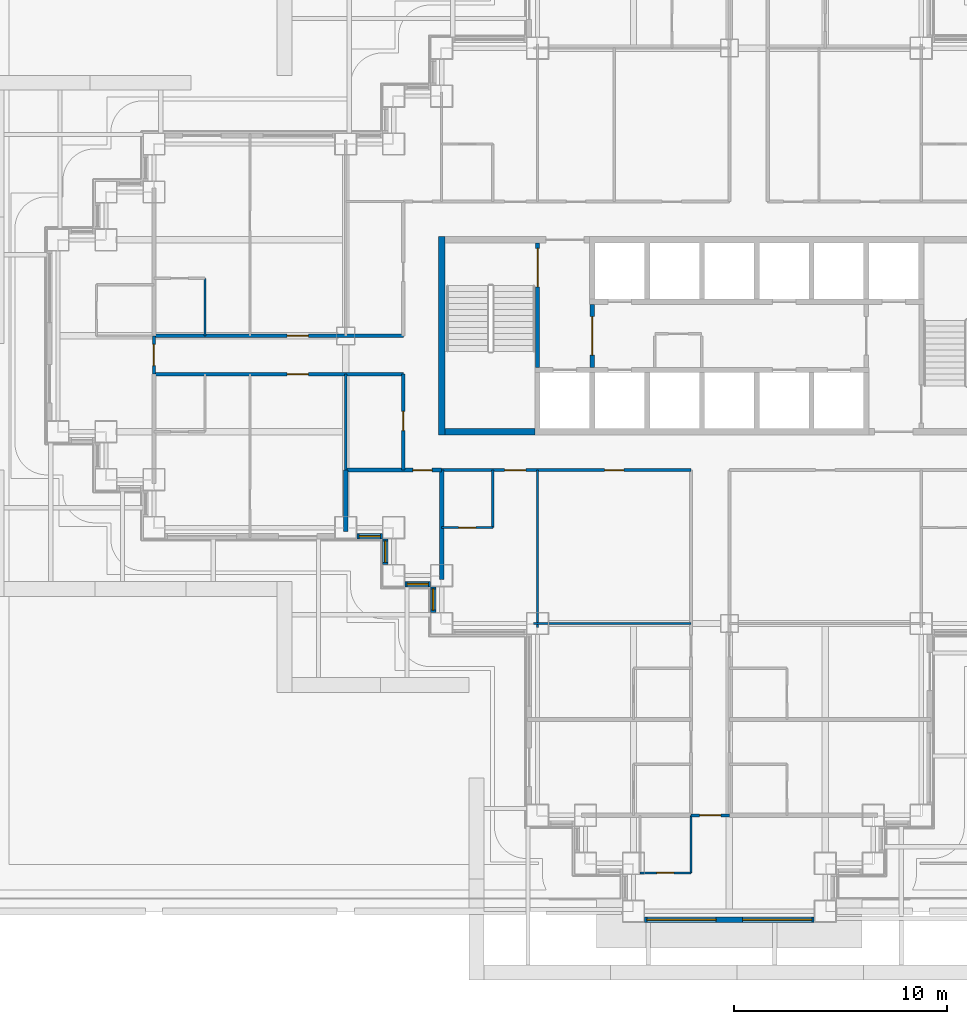
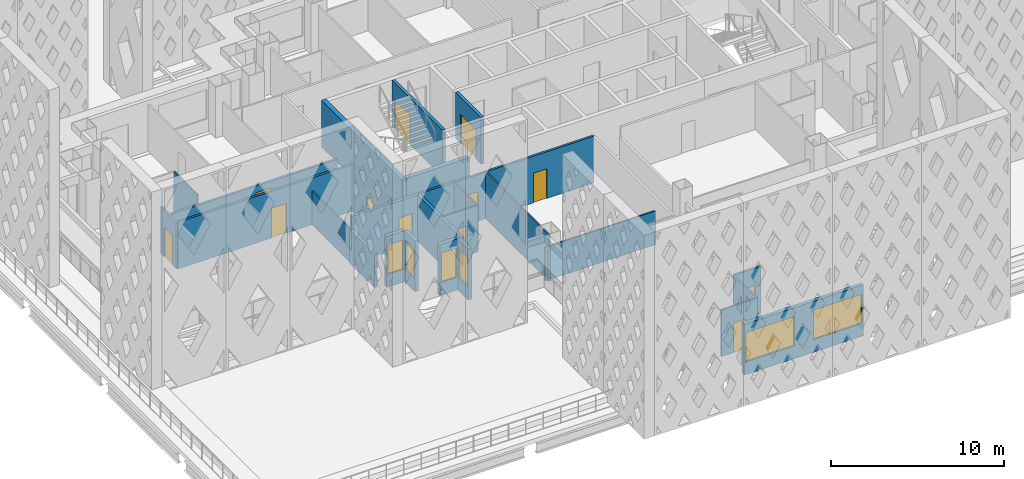
# One storey, part 4 of 26: 26 walls, 12 doors, 6 windows, 18 openings.
"""IFC4 building model written with IfcOpenShell, lengths in metres."""

from ifc_helpers import new_model, si_unit, direction, frame, frame_2d, origin, place, context, subcontext, project, spatial, rectangle, extrude, material, layer, layer_set, type_object, element, fill, save


model = new_model("IFC4")

# Units and contexts
model_context = context("Model", 3, precision=1e-05, world=origin(), true_north=direction((0.0, 1.0)))
body_context = subcontext(model_context, "Body", "Model", "MODEL_VIEW")
ifc_project = project(units=[si_unit("LENGTHUNIT", "METRE"), si_unit("AREAUNIT", "SQUARE_METRE"), si_unit("VOLUMEUNIT", "CUBIC_METRE"), si_unit("PLANEANGLEUNIT", "RADIAN"), si_unit("MASSUNIT", "GRAM", prefix="KILO")], contexts=[model_context])

# Site, building, storey
site_placement = place(None, origin())
site = spatial("IfcSite", under=ifc_project, at=site_placement, CompositionType="ELEMENT")
building_placement = place(site_placement, origin())
building = spatial("IfcBuilding", under=site, at=building_placement, Name="Caravel Reach Hotel and Residences", CompositionType="ELEMENT")
storey_placement = place(building_placement, frame((0.0, 0.0, 33.60009765625)))
storey = spatial("IfcBuildingStorey", under=building, at=storey_placement, Name="L06", CompositionType="ELEMENT", Elevation=33.60009765625)

# Wall, opening, door
ifc_material_1 = material(Name="Gypsum board on steel stud", Category="steel")
ifc_layer_1 = layer(ifc_material_1, 0.10009765625)
ifc_layer_set_1 = layer_set([ifc_layer_1], Name="Bathroom pod wall 100 mm")
wall_type_1 = type_object("IfcWallType", Name="Bathroom pod wall 100 mm", PredefinedType="PARTITIONING", material=ifc_layer_set_1)
wall_1_placement = place(storey_placement, frame((27.300048828125, 1.800048828125, 0.0), z_axis=(0.0, 0.0, 1.0), x_axis=(1.0, 0.0, 0.0)))
wall_1 = element("IfcWall", 1, at=wall_1_placement, inside=storey, type_object=wall_type_1, Name="L06 wall w079", PredefinedType="PARTITIONING", context=body_context, shape_type="SweptSolid", body=[
    extrude(rectangle(XDim=2.39990234375, YDim=0.10009765625, at=frame_2d((1.199951171875, 0.0))), origin(), (0.0, 0.0, 1.0), 3.2998046875),
])
opening_1_placement = place(wall_1_placement, frame((0.800048828125, 0.0, 0.0)))
opening_1 = element("IfcOpeningElement", 2, at=opening_1_placement, cuts=wall_1, Name="Opening D06-042", PredefinedType="OPENING", context=body_context, shape_type="SweptSolid", body=[
    extrude(rectangle(XDim=0.800048828125, YDim=2.10009765625, at=frame_2d((0.39990234375, 1.050048828125))), frame((0.0, 0.06005859375, 0.0), z_axis=(0.0, -1.0, 0.0), x_axis=(1.0, 0.0, 0.0)), (0.0, 0.0, 1.0), 0.1201171875),
])
ifc_material_2 = material(Name="Timber and steel door leaf", Category="steel")
door_type_1 = type_object("IfcDoorType", Name="Bathroom door 800 x 2100", OperationType="SINGLE_SWING_LEFT", PredefinedType="DOOR", material=ifc_material_2)
door_1_placement = place(opening_1_placement, origin())
door_1 = element("IfcDoor", 3, at=door_1_placement, inside=storey, type_object=door_type_1, Name="door D06-042", OperationType="SINGLE_SWING_RIGHT", OverallHeight=2.10009765625, OverallWidth=0.800048828125, PredefinedType="DOOR", context=body_context, shape_type="SweptSolid", body=[
    extrude(rectangle(XDim=0.800048828125, YDim=2.10009765625, at=frame_2d((0.39990234375, 1.050048828125))), frame((0.0, 0.02490234375, 0.0), z_axis=(0.0, -1.0, 0.0), x_axis=(1.0, 0.0, 0.0)), (0.0, 0.0, 1.0), 0.050048828125),
])
fill(opening_1, door_1)

wall_2_placement = place(storey_placement, frame((18.0, 18.0, 0.0), z_axis=(0.0, 0.0, 1.0), x_axis=(1.0, 0.0, 0.0)))
wall_2 = element("IfcWall", 4, at=wall_2_placement, inside=storey, type_object=wall_type_1, Name="L06 wall w082", PredefinedType="PARTITIONING", context=body_context, shape_type="SweptSolid", body=[
    extrude(rectangle(XDim=2.39990234375, YDim=0.10009765625, at=frame_2d((1.199951171875, 0.0))), origin(), (0.0, 0.0, 1.0), 3.2998046875),
])
opening_2_placement = place(wall_2_placement, frame((0.800048828125, 0.0, 0.0)))
opening_2 = element("IfcOpeningElement", 5, at=opening_2_placement, cuts=wall_2, Name="Opening D06-050", PredefinedType="OPENING", context=body_context, shape_type="SweptSolid", body=[
    extrude(rectangle(XDim=0.800048828125, YDim=2.10009765625, at=frame_2d((0.39990234375, 1.050048828125))), frame((0.0, 0.06005859375, 0.0), z_axis=(0.0, -1.0, 0.0), x_axis=(1.0, 0.0, 0.0)), (0.0, 0.0, 1.0), 0.1201171875),
])
door_2_placement = place(opening_2_placement, origin())
door_2 = element("IfcDoor", 6, at=door_2_placement, inside=storey, type_object=door_type_1, Name="door D06-050", OperationType="SINGLE_SWING_RIGHT", OverallHeight=2.10009765625, OverallWidth=0.800048828125, PredefinedType="DOOR", context=body_context, shape_type="SweptSolid", body=[
    extrude(rectangle(XDim=0.800048828125, YDim=2.10009765625, at=frame_2d((0.39990234375, 1.050048828125))), frame((0.0, 0.02490234375, 0.0), z_axis=(0.0, -1.0, 0.0), x_axis=(1.0, 0.0, 0.0)), (0.0, 0.0, 1.0), 0.050048828125),
])
fill(opening_2, door_2)

# Walls
for number, where, z_axis, x_axis, name in (
    (7, (20.39990234375, 18.0, 0.0), (0.0, 0.0, 1.0), (0.0, 1.0, 0.0), "L06 wall w098"),
    (8, (29.699951171875, 1.800048828125, 0.0), (0.0, 0.0, 1.0), (0.0, 1.0, 0.0), "L06 wall w103"),
    (9, (6.89990234375, 27.0, 0.0), (0.0, 0.0, 1.0), (0.0, 1.0, 0.0), "L06 wall w111"),
):
    element("IfcWall", number, at=place(storey_placement, frame(where, z_axis=z_axis, x_axis=x_axis)), inside=storey, type_object=wall_type_1, Name=name, PredefinedType="PARTITIONING", context=body_context, shape_type="SweptSolid", body=[
        extrude(rectangle(XDim=2.699951171875, YDim=0.10009765625, at=frame_2d((1.35009765625, 0.0))), origin(), (0.0, 0.0, 1.0), 3.2998046875),
    ])

# Wall, opening, door
ifc_material_3 = material(Name="Autoclaved aerated block wall")
ifc_layer_2 = layer(ifc_material_3, 0.199951171875)
ifc_layer_set_2 = layer_set([ifc_layer_2], Name="Compartment wall 200 mm EI 120")
wall_type_2 = type_object("IfcWallType", Name="Compartment wall 200 mm EI 120", PredefinedType="PARTITIONING", material=ifc_layer_set_2)
wall_3_placement = place(storey_placement, frame((13.5, 20.699951171875, 0.0), z_axis=(0.0, 0.0, 1.0), x_axis=(1.0, 0.0, 0.0)))
wall_3 = element("IfcWall", 10, at=wall_3_placement, inside=storey, type_object=wall_type_2, Name="L06 wall w114", PredefinedType="PARTITIONING", context=body_context, shape_type="SweptSolid", body=[
    extrude(rectangle(XDim=4.5, YDim=0.199951171875, at=frame_2d((2.25, 0.0))), origin(), (0.0, 0.0, 1.0), 3.2998046875),
])
opening_3_placement = place(wall_3_placement, frame((3.14990234375, 0.0, 0.0)))
opening_3 = element("IfcOpeningElement", 11, at=opening_3_placement, cuts=wall_3, Name="Opening D06-051", PredefinedType="OPENING", context=body_context, shape_type="SweptSolid", body=[
    extrude(rectangle(XDim=0.89990234375, YDim=2.10009765625, at=frame_2d((0.449951171875, 1.050048828125))), frame((0.0, 0.10986328125, 0.0), z_axis=(0.0, -1.0, 0.0), x_axis=(1.0, 0.0, 0.0)), (0.0, 0.0, 1.0), 0.219970703125),
])
ifc_material_4 = material(Name="Steel fire door leaf", Category="steel")
door_type_2 = type_object("IfcDoorType", Name="Riser door 900 x 2100 EI 60", OperationType="SINGLE_SWING_LEFT", PredefinedType="DOOR", material=ifc_material_4)
door_3_placement = place(opening_3_placement, origin())
door_3 = element("IfcDoor", 12, at=door_3_placement, inside=storey, type_object=door_type_2, Name="door D06-051", OperationType="SINGLE_SWING_RIGHT", OverallHeight=2.10009765625, OverallWidth=0.89990234375, PredefinedType="DOOR", context=body_context, shape_type="SweptSolid", body=[
    extrude(rectangle(XDim=0.89990234375, YDim=2.10009765625, at=frame_2d((0.449951171875, 1.050048828125))), frame((0.0, 0.02490234375, 0.0), z_axis=(0.0, -1.0, 0.0), x_axis=(1.0, 0.0, 0.0)), (0.0, 0.0, 1.0), 0.050048828125),
])
fill(opening_3, door_3)

# Walls
wall_4_placement = place(storey_placement, frame((13.5, 17.81005859375, 0.0), z_axis=(0.0, 0.0, 1.0), x_axis=(0.0, 1.0, 0.0)))
element("IfcWall", 13, at=wall_4_placement, inside=storey, type_object=wall_type_2, Name="L06 wall w115", PredefinedType="PARTITIONING", context=body_context, shape_type="SweptSolid", body=[
    extrude(rectangle(XDim=2.889892578125, YDim=0.199951171875, at=frame_2d((1.44482421875, 0.0))), origin(), (0.0, 0.0, 1.0), 2.3798828125),
])
wall_5_placement = place(storey_placement, frame((18.0, 15.56005859375, 0.0), z_axis=(0.0, 0.0, 1.0), x_axis=(0.0, 1.0, 0.0)))
element("IfcWall", 14, at=wall_5_placement, inside=storey, type_object=wall_type_2, Name="L06 wall w116", PredefinedType="PARTITIONING", context=body_context, shape_type="SweptSolid", body=[
    extrude(rectangle(XDim=5.139892578125, YDim=0.199951171875, at=frame_2d((2.56982421875, 0.0))), origin(), (0.0, 0.0, 1.0), 3.2998046875),
])
ifc_material_5 = material(Name="Concrete C60", Category="concrete")
ifc_layer_3 = layer(ifc_material_5, 0.300048828125)
ifc_layer_set_3 = layer_set([ifc_layer_3], Name="Core wall 300 mm EI 120")
wall_type_3 = type_object("IfcWallType", Name="Core wall 300 mm EI 120", PredefinedType="SHEAR", material=ifc_layer_set_3)
wall_6_placement = place(storey_placement, frame((18.14990234375, 22.5, 0.0), z_axis=(0.0, 0.0, 1.0), x_axis=(1.0, 0.0, 0.0)))
element("IfcWall", 15, at=wall_6_placement, inside=storey, type_object=wall_type_3, Name="L06 core wall S1", PredefinedType="SHEAR", context=body_context, shape_type="SweptSolid", body=[
    extrude(rectangle(XDim=4.22509765625, YDim=0.300048828125, at=frame_2d((2.112548828125, 0.0))), origin(), (0.0, 0.0, 1.0), 3.2998046875),
])
wall_7_placement = place(storey_placement, frame((18.0, 22.35009765625, 0.0), z_axis=(0.0, 0.0, 1.0), x_axis=(0.0, 1.0, 0.0)))
element("IfcWall", 16, at=wall_7_placement, inside=storey, type_object=wall_type_3, Name="L06 core wall W", PredefinedType="SHEAR", context=body_context, shape_type="SweptSolid", body=[
    extrude(rectangle(XDim=9.2998046875, YDim=0.300048828125, at=frame_2d((4.64990234375, 0.0))), origin(), (0.0, 0.0, 1.0), 3.2998046875),
])

# Wall, openings, doors
ifc_material_6 = material(Name="Gypsum board on steel stud, fire-rated", Category="steel")
ifc_layer_4 = layer(ifc_material_6, 0.14990234375)
ifc_layer_set_4 = layer_set([ifc_layer_4], Name="Corridor wall 150 mm EI 60")
wall_type_4 = type_object("IfcWallType", Name="Corridor wall 150 mm EI 60", PredefinedType="PARTITIONING", material=ifc_layer_set_4)
wall_8_placement = place(storey_placement, frame((18.0, 20.699951171875, 0.0), z_axis=(0.0, 0.0, 1.0), x_axis=(1.0, 0.0, 0.0)))
wall_8 = element("IfcWall", 17, at=wall_8_placement, inside=storey, type_object=wall_type_4, Name="L06 wall w001", PredefinedType="PARTITIONING", context=body_context, shape_type="SweptSolid", body=[
    extrude(rectangle(XDim=11.699951171875, YDim=0.14990234375, at=frame_2d((5.85009765625, 0.0))), origin(), (0.0, 0.0, 1.0), 3.2998046875),
])
opening_4_placement = place(wall_8_placement, frame((2.949951171875, 0.0, 0.0)))
opening_4 = element("IfcOpeningElement", 18, at=opening_4_placement, cuts=wall_8, Name="Opening D06-049", PredefinedType="OPENING", context=body_context, shape_type="SweptSolid", body=[
    extrude(rectangle(XDim=1.0, YDim=2.10009765625, at=frame_2d((0.5, 1.050048828125))), frame((0.0, 0.0849609375, 0.0), z_axis=(0.0, -1.0, 0.0), x_axis=(1.0, 0.0, 0.0)), (0.0, 0.0, 1.0), 0.169921875),
])
opening_5_placement = place(wall_8_placement, frame((7.64990234375, 0.0, 0.0)))
opening_5 = element("IfcOpeningElement", 19, at=opening_5_placement, cuts=wall_8, Name="Opening D06-059", PredefinedType="OPENING", context=body_context, shape_type="SweptSolid", body=[
    extrude(rectangle(XDim=0.89990234375, YDim=2.10009765625, at=frame_2d((0.449951171875, 1.050048828125))), frame((0.0, 0.0849609375, 0.0), z_axis=(0.0, -1.0, 0.0), x_axis=(1.0, 0.0, 0.0)), (0.0, 0.0, 1.0), 0.169921875),
])
ifc_material_7 = material(Name="Timber and steel door leaf", Category="steel")
door_type_3 = type_object("IfcDoorType", Name="Door 900 x 2100 timber", OperationType="SINGLE_SWING_LEFT", PredefinedType="DOOR", material=ifc_material_7)
door_4_placement = place(opening_5_placement, origin())
door_4 = element("IfcDoor", 20, at=door_4_placement, inside=storey, type_object=door_type_3, Name="door D06-059", OperationType="SINGLE_SWING_LEFT", OverallHeight=2.10009765625, OverallWidth=0.89990234375, PredefinedType="DOOR", context=body_context, shape_type="SweptSolid", body=[
    extrude(rectangle(XDim=0.89990234375, YDim=2.10009765625, at=frame_2d((0.449951171875, 1.050048828125))), frame((0.0, 0.02490234375, 0.0), z_axis=(0.0, -1.0, 0.0), x_axis=(1.0, 0.0, 0.0)), (0.0, 0.0, 1.0), 0.050048828125),
])
fill(opening_5, door_4)
ifc_material_8 = material(Name="Steel fire door leaf", Category="steel")
door_type_4 = type_object("IfcDoorType", Name="Guest room door 1000 x 2100 EI 30", OperationType="SINGLE_SWING_LEFT", PredefinedType="DOOR", material=ifc_material_8)
door_5_placement = place(opening_4_placement, origin())
door_5 = element("IfcDoor", 21, at=door_5_placement, inside=storey, type_object=door_type_4, Name="door D06-049", OperationType="SINGLE_SWING_RIGHT", OverallHeight=2.10009765625, OverallWidth=1.0, PredefinedType="DOOR", context=body_context, shape_type="SweptSolid", body=[
    extrude(rectangle(XDim=1.0, YDim=2.10009765625, at=frame_2d((0.5, 1.050048828125))), frame((0.0, 0.02490234375, 0.0), z_axis=(0.0, -1.0, 0.0), x_axis=(1.0, 0.0, 0.0)), (0.0, 0.0, 1.0), 0.050048828125),
])
fill(opening_4, door_5)

# Wall, opening, door
wall_9_placement = place(storey_placement, frame((4.5, 25.199951171875, 0.0), z_axis=(0.0, 0.0, 1.0), x_axis=(1.0, 0.0, 0.0)))
wall_9 = element("IfcWall", 22, at=wall_9_placement, inside=storey, type_object=wall_type_4, Name="L06 wall w007", PredefinedType="PARTITIONING", context=body_context, shape_type="SweptSolid", body=[
    extrude(rectangle(XDim=11.699951171875, YDim=0.14990234375, at=frame_2d((5.85009765625, 0.0))), origin(), (0.0, 0.0, 1.0), 3.2998046875),
])
opening_6_placement = place(wall_9_placement, frame((6.25, 0.0, 0.0)))
opening_6 = element("IfcOpeningElement", 23, at=opening_6_placement, cuts=wall_9, Name="Opening D06-015", PredefinedType="OPENING", context=body_context, shape_type="SweptSolid", body=[
    extrude(rectangle(XDim=1.0, YDim=2.10009765625, at=frame_2d((0.5, 1.050048828125))), frame((0.0, 0.0849609375, 0.0), z_axis=(0.0, -1.0, 0.0), x_axis=(1.0, 0.0, 0.0)), (0.0, 0.0, 1.0), 0.169921875),
])
door_6_placement = place(opening_6_placement, origin())
door_6 = element("IfcDoor", 24, at=door_6_placement, inside=storey, type_object=door_type_4, Name="door D06-015", OperationType="SINGLE_SWING_RIGHT", OverallHeight=2.10009765625, OverallWidth=1.0, PredefinedType="DOOR", context=body_context, shape_type="SweptSolid", body=[
    extrude(rectangle(XDim=1.0, YDim=2.10009765625, at=frame_2d((0.5, 1.050048828125))), frame((0.0, 0.02490234375, 0.0), z_axis=(0.0, -1.0, 0.0), x_axis=(1.0, 0.0, 0.0)), (0.0, 0.0, 1.0), 0.050048828125),
])
fill(opening_6, door_6)

wall_10_placement = place(storey_placement, frame((4.5, 27.0, 0.0), z_axis=(0.0, 0.0, 1.0), x_axis=(1.0, 0.0, 0.0)))
wall_10 = element("IfcWall", 25, at=wall_10_placement, inside=storey, type_object=wall_type_4, Name="L06 wall w012", PredefinedType="PARTITIONING", context=body_context, shape_type="SweptSolid", body=[
    extrude(rectangle(XDim=11.699951171875, YDim=0.14990234375, at=frame_2d((5.85009765625, 0.0))), origin(), (0.0, 0.0, 1.0), 2.579833984375),
])
opening_7_placement = place(wall_10_placement, frame((6.25, 0.0, 0.0)))
opening_7 = element("IfcOpeningElement", 26, at=opening_7_placement, cuts=wall_10, Name="Opening D06-018", PredefinedType="OPENING", context=body_context, shape_type="SweptSolid", body=[
    extrude(rectangle(XDim=1.0, YDim=2.10009765625, at=frame_2d((0.5, 1.050048828125))), frame((0.0, 0.0849609375, 0.0), z_axis=(0.0, -1.0, 0.0), x_axis=(1.0, 0.0, 0.0)), (0.0, 0.0, 1.0), 0.169921875),
])
door_7_placement = place(opening_7_placement, origin())
door_7 = element("IfcDoor", 27, at=door_7_placement, inside=storey, type_object=door_type_4, Name="door D06-018", OperationType="SINGLE_SWING_LEFT", OverallHeight=2.10009765625, OverallWidth=1.0, PredefinedType="DOOR", context=body_context, shape_type="SweptSolid", body=[
    extrude(rectangle(XDim=1.0, YDim=2.10009765625, at=frame_2d((0.5, 1.050048828125))), frame((0.0, 0.02490234375, 0.0), z_axis=(0.0, -1.0, 0.0), x_axis=(1.0, 0.0, 0.0)), (0.0, 0.0, 1.0), 0.050048828125),
])
fill(opening_7, door_7)

wall_11_placement = place(storey_placement, frame((29.699951171875, 4.5, 0.0), z_axis=(0.0, 0.0, 1.0), x_axis=(1.0, 0.0, 0.0)))
wall_11 = element("IfcWall", 28, at=wall_11_placement, inside=storey, type_object=wall_type_4, Name="L06 wall w024", PredefinedType="PARTITIONING", context=body_context, shape_type="SweptSolid", body=[
    extrude(rectangle(XDim=1.800048828125, YDim=0.14990234375, at=frame_2d((0.89990234375, 0.0))), origin(), (0.0, 0.0, 1.0), 3.2998046875),
])
opening_8_placement = place(wall_11_placement, frame((0.39990234375, 0.0, 0.0)))
opening_8 = element("IfcOpeningElement", 29, at=opening_8_placement, cuts=wall_11, Name="Opening D06-041", PredefinedType="OPENING", context=body_context, shape_type="SweptSolid", body=[
    extrude(rectangle(XDim=1.0, YDim=2.10009765625, at=frame_2d((0.5, 1.050048828125))), frame((0.0, 0.0849609375, 0.0), z_axis=(0.0, -1.0, 0.0), x_axis=(1.0, 0.0, 0.0)), (0.0, 0.0, 1.0), 0.169921875),
])
door_8_placement = place(opening_8_placement, origin())
door_8 = element("IfcDoor", 30, at=door_8_placement, inside=storey, type_object=door_type_4, Name="door D06-041", OperationType="SINGLE_SWING_LEFT", OverallHeight=2.10009765625, OverallWidth=1.0, PredefinedType="DOOR", context=body_context, shape_type="SweptSolid", body=[
    extrude(rectangle(XDim=1.0, YDim=2.10009765625, at=frame_2d((0.5, 1.050048828125))), frame((0.0, 0.02490234375, 0.0), z_axis=(0.0, -1.0, 0.0), x_axis=(1.0, 0.0, 0.0)), (0.0, 0.0, 1.0), 0.050048828125),
])
fill(opening_8, door_8)

wall_12_placement = place(storey_placement, frame((16.199951171875, 20.699951171875, 0.0), z_axis=(0.0, 0.0, 1.0), x_axis=(0.0, 1.0, 0.0)))
wall_12 = element("IfcWall", 31, at=wall_12_placement, inside=storey, type_object=wall_type_4, Name="L06 wall w027", PredefinedType="PARTITIONING", context=body_context, shape_type="SweptSolid", body=[
    extrude(rectangle(XDim=4.5, YDim=0.14990234375, at=frame_2d((2.25, 0.0))), origin(), (0.0, 0.0, 1.0), 3.2998046875),
])
opening_9_placement = place(wall_12_placement, frame((1.85009765625, 0.0, 0.0)))
opening_9 = element("IfcOpeningElement", 32, at=opening_9_placement, cuts=wall_12, Name="Opening D06-061", PredefinedType="OPENING", context=body_context, shape_type="SweptSolid", body=[
    extrude(rectangle(XDim=0.89990234375, YDim=2.10009765625, at=frame_2d((0.449951171875, 1.050048828125))), frame((0.0, 0.0849609375, 0.0), z_axis=(0.0, -1.0, 0.0), x_axis=(1.0, 0.0, 0.0)), (0.0, 0.0, 1.0), 0.169921875),
])
door_9_placement = place(opening_9_placement, origin())
door_9 = element("IfcDoor", 33, at=door_9_placement, inside=storey, type_object=door_type_3, Name="door D06-061", OperationType="SINGLE_SWING_LEFT", OverallHeight=2.10009765625, OverallWidth=0.89990234375, PredefinedType="DOOR", context=body_context, shape_type="SweptSolid", body=[
    extrude(rectangle(XDim=0.89990234375, YDim=2.10009765625, at=frame_2d((0.449951171875, 1.050048828125))), frame((0.0, 0.02490234375, 0.0), z_axis=(0.0, -1.0, 0.0), x_axis=(1.0, 0.0, 0.0)), (0.0, 0.0, 1.0), 0.050048828125),
])
fill(opening_9, door_9)

wall_13_placement = place(storey_placement, frame((4.5, 25.199951171875, 0.0), z_axis=(0.0, 0.0, 1.0), x_axis=(0.0, 1.0, 0.0)))
wall_13 = element("IfcWall", 34, at=wall_13_placement, inside=storey, type_object=wall_type_4, Name="L06 wall w038", PredefinedType="PARTITIONING", context=body_context, shape_type="SweptSolid", body=[
    extrude(rectangle(XDim=1.800048828125, YDim=0.14990234375, at=frame_2d((0.89990234375, 0.0))), origin(), (0.0, 0.0, 1.0), 3.2998046875),
])
opening_10_placement = place(wall_13_placement, frame((0.39990234375, 0.0, 0.0)))
opening_10 = element("IfcOpeningElement", 35, at=opening_10_placement, cuts=wall_13, Name="Opening D06-037", PredefinedType="OPENING", context=body_context, shape_type="SweptSolid", body=[
    extrude(rectangle(XDim=1.0, YDim=2.10009765625, at=frame_2d((0.5, 1.050048828125))), frame((0.0, 0.0849609375, 0.0), z_axis=(0.0, -1.0, 0.0), x_axis=(1.0, 0.0, 0.0)), (0.0, 0.0, 1.0), 0.169921875),
])
door_10_placement = place(opening_10_placement, origin())
door_10 = element("IfcDoor", 36, at=door_10_placement, inside=storey, type_object=door_type_4, Name="door D06-037", OperationType="SINGLE_SWING_LEFT", OverallHeight=2.10009765625, OverallWidth=1.0, PredefinedType="DOOR", context=body_context, shape_type="SweptSolid", body=[
    extrude(rectangle(XDim=1.0, YDim=2.10009765625, at=frame_2d((0.5, 1.050048828125))), frame((0.0, 0.02490234375, 0.0), z_axis=(0.0, -1.0, 0.0), x_axis=(1.0, 0.0, 0.0)), (0.0, 0.0, 1.0), 0.050048828125),
])
fill(opening_10, door_10)

# Wall, openings, windows
ifc_material_9 = material(Name="Insulated rainscreen wall, aluminium cladding", Category="aluminium")
ifc_layer_5 = layer(ifc_material_9, 0.25)
ifc_layer_set_5 = layer_set([ifc_layer_5], Name="EW1 Tower rainscreen wall")
wall_type_5 = type_object("IfcWallType", Name="EW1 Tower rainscreen wall", PredefinedType="SOLIDWALL", material=ifc_layer_set_5)
wall_14_placement = place(storey_placement, frame((27.52490234375, -0.39990234375, 0.0), z_axis=(0.0, 0.0, 1.0), x_axis=(1.0, 0.0, 0.0)))
wall_14 = element("IfcWall", 37, at=wall_14_placement, inside=storey, type_object=wall_type_5, Name="External wall L06 S5.1", PredefinedType="SOLIDWALL", context=body_context, shape_type="SweptSolid", body=[
    extrude(rectangle(XDim=7.9501953125, YDim=0.25, at=frame_2d((3.97509765625, 0.0))), origin(), (0.0, 0.0, 1.0), 3.599853515625),
])
opening_11_placement = place(wall_14_placement, frame((0.10009765625, 0.0, 0.89990234375)))
opening_11 = element("IfcOpeningElement", 38, at=opening_11_placement, cuts=wall_14, Name="Opening WN2", PredefinedType="OPENING", context=body_context, shape_type="SweptSolid", body=[
    extrude(rectangle(XDim=3.25, YDim=2.080078125, at=frame_2d((1.625, 1.0400390625))), frame((0.0, 0.135009765625, 0.0), z_axis=(0.0, -1.0, 0.0), x_axis=(1.0, 0.0, 0.0)), (0.0, 0.0, 1.0), 0.27001953125),
])
opening_12_placement = place(wall_14_placement, frame((4.60009765625, 0.0, 0.89990234375)))
opening_12 = element("IfcOpeningElement", 39, at=opening_12_placement, cuts=wall_14, Name="Opening WN2", PredefinedType="OPENING", context=body_context, shape_type="SweptSolid", body=[
    extrude(rectangle(XDim=3.25, YDim=2.080078125, at=frame_2d((1.625, 1.0400390625))), frame((0.0, 0.135009765625, 0.0), z_axis=(0.0, -1.0, 0.0), x_axis=(1.0, 0.0, 0.0)), (0.0, 0.0, 1.0), 0.27001953125),
])
ifc_material_10 = material(Name="Dark low-e glazing in black aluminium frame", Category="aluminium")
window_type_1 = type_object("IfcWindowType", Name="Hotel guest room window 3250 x 2080", PartitioningType="SINGLE_PANEL", PredefinedType="WINDOW", material=ifc_material_10)
window_1_placement = place(opening_11_placement, origin())
window_1 = element("IfcWindow", 40, at=window_1_placement, inside=storey, type_object=window_type_1, Name="Window L06 S5.1.1", OverallHeight=2.080078125, OverallWidth=3.25, PartitioningType="SINGLE_PANEL", PredefinedType="WINDOW", context=body_context, shape_type="SweptSolid", body=[
    extrude(rectangle(XDim=3.25, YDim=2.080078125, at=frame_2d((1.625, 1.0400390625))), frame((0.0, 0.030029296875, 0.0), z_axis=(0.0, -1.0, 0.0), x_axis=(1.0, 0.0, 0.0)), (0.0, 0.0, 1.0), 0.06005859375),
])
fill(opening_11, window_1)
window_2_placement = place(opening_12_placement, origin())
window_2 = element("IfcWindow", 41, at=window_2_placement, inside=storey, type_object=window_type_1, Name="Window L06 S5.1.2", OverallHeight=2.080078125, OverallWidth=3.25, PartitioningType="SINGLE_PANEL", PredefinedType="WINDOW", context=body_context, shape_type="SweptSolid", body=[
    extrude(rectangle(XDim=3.25, YDim=2.080078125, at=frame_2d((1.625, 1.0400390625))), frame((0.0, 0.030029296875, 0.0), z_axis=(0.0, -1.0, 0.0), x_axis=(1.0, 0.0, 0.0)), (0.0, 0.0, 1.0), 0.06005859375),
])
fill(opening_12, window_2)

# Wall, opening, window
wall_15_placement = place(storey_placement, frame((14.02490234375, 17.60009765625, 0.0), z_axis=(0.0, 0.0, 1.0), x_axis=(1.0, 0.0, 0.0)))
wall_15 = element("IfcWall", 42, at=wall_15_placement, inside=storey, type_object=wall_type_5, Name="External wall L06 S55.2", PredefinedType="SOLIDWALL", context=body_context, shape_type="SweptSolid", body=[
    extrude(rectangle(XDim=1.2001953125, YDim=0.25, at=frame_2d((0.60009765625, 0.0))), origin(), (0.0, 0.0, 1.0), 3.599853515625),
])
opening_13_placement = place(wall_15_placement, frame((0.10009765625, 0.0, 0.89990234375)))
opening_13 = element("IfcOpeningElement", 43, at=opening_13_placement, cuts=wall_15, Name="Opening WN1", PredefinedType="OPENING", context=body_context, shape_type="SweptSolid", body=[
    extrude(rectangle(XDim=1.0, YDim=2.080078125, at=frame_2d((0.5, 1.0400390625))), frame((0.0, 0.135009765625, 0.0), z_axis=(0.0, -1.0, 0.0), x_axis=(1.0, 0.0, 0.0)), (0.0, 0.0, 1.0), 0.27001953125),
])
ifc_material_11 = material(Name="Dark low-e glazing in black aluminium frame", Category="aluminium")
window_type_2 = type_object("IfcWindowType", Name="Hotel suite corner window 1000 x 2080", PartitioningType="SINGLE_PANEL", PredefinedType="WINDOW", material=ifc_material_11)
window_3_placement = place(opening_13_placement, origin())
window_3 = element("IfcWindow", 44, at=window_3_placement, inside=storey, type_object=window_type_2, Name="Window L06 S55.2.1", OverallHeight=2.080078125, OverallWidth=1.0, PartitioningType="SINGLE_PANEL", PredefinedType="WINDOW", context=body_context, shape_type="SweptSolid", body=[
    extrude(rectangle(XDim=1.0, YDim=2.080078125, at=frame_2d((0.5, 1.0400390625))), frame((0.0, 0.030029296875, 0.0), z_axis=(0.0, -1.0, 0.0), x_axis=(1.0, 0.0, 0.0)), (0.0, 0.0, 1.0), 0.06005859375),
])
fill(opening_13, window_3)

wall_16_placement = place(storey_placement, frame((15.35009765625, 17.47509765625, 0.0), z_axis=(0.0, 0.0, 1.0), x_axis=(0.0, -1.0, 0.0)))
wall_16 = element("IfcWall", 45, at=wall_16_placement, inside=storey, type_object=wall_type_5, Name="External wall L06 W56.1", PredefinedType="SOLIDWALL", context=body_context, shape_type="SweptSolid", body=[
    extrude(rectangle(XDim=1.2001953125, YDim=0.25, at=frame_2d((0.60009765625, 0.0))), origin(), (0.0, 0.0, 1.0), 3.599853515625),
])
opening_14_placement = place(wall_16_placement, frame((0.10009765625, 0.0, 0.89990234375)))
opening_14 = element("IfcOpeningElement", 46, at=opening_14_placement, cuts=wall_16, Name="Opening WN1", PredefinedType="OPENING", context=body_context, shape_type="SweptSolid", body=[
    extrude(rectangle(XDim=1.0, YDim=2.080078125, at=frame_2d((0.5, 1.0400390625))), frame((0.0, 0.135009765625, 0.0), z_axis=(0.0, -1.0, 0.0), x_axis=(1.0, 0.0, 0.0)), (0.0, 0.0, 1.0), 0.27001953125),
])
window_4_placement = place(opening_14_placement, origin())
window_4 = element("IfcWindow", 47, at=window_4_placement, inside=storey, type_object=window_type_2, Name="Window L06 W56.1.1", OverallHeight=2.080078125, OverallWidth=1.0, PartitioningType="SINGLE_PANEL", PredefinedType="WINDOW", context=body_context, shape_type="SweptSolid", body=[
    extrude(rectangle(XDim=1.0, YDim=2.080078125, at=frame_2d((0.5, 1.0400390625))), frame((0.0, 0.030029296875, 0.0), z_axis=(0.0, -1.0, 0.0), x_axis=(1.0, 0.0, 0.0)), (0.0, 0.0, 1.0), 0.06005859375),
])
fill(opening_14, window_4)

wall_17_placement = place(storey_placement, frame((16.27490234375, 15.35009765625, 0.0), z_axis=(0.0, 0.0, 1.0), x_axis=(1.0, 0.0, 0.0)))
wall_17 = element("IfcWall", 48, at=wall_17_placement, inside=storey, type_object=wall_type_5, Name="External wall L06 S57.1", PredefinedType="SOLIDWALL", context=body_context, shape_type="SweptSolid", body=[
    extrude(rectangle(XDim=1.2001953125, YDim=0.25, at=frame_2d((0.60009765625, 0.0))), origin(), (0.0, 0.0, 1.0), 3.599853515625),
])
opening_15_placement = place(wall_17_placement, frame((0.10009765625, 0.0, 0.89990234375)))
opening_15 = element("IfcOpeningElement", 49, at=opening_15_placement, cuts=wall_17, Name="Opening WN1", PredefinedType="OPENING", context=body_context, shape_type="SweptSolid", body=[
    extrude(rectangle(XDim=1.0, YDim=2.080078125, at=frame_2d((0.5, 1.0400390625))), frame((0.0, 0.135009765625, 0.0), z_axis=(0.0, -1.0, 0.0), x_axis=(1.0, 0.0, 0.0)), (0.0, 0.0, 1.0), 0.27001953125),
])
window_5_placement = place(opening_15_placement, origin())
window_5 = element("IfcWindow", 50, at=window_5_placement, inside=storey, type_object=window_type_2, Name="Window L06 S57.1.1", OverallHeight=2.080078125, OverallWidth=1.0, PartitioningType="SINGLE_PANEL", PredefinedType="WINDOW", context=body_context, shape_type="SweptSolid", body=[
    extrude(rectangle(XDim=1.0, YDim=2.080078125, at=frame_2d((0.5, 1.0400390625))), frame((0.0, 0.030029296875, 0.0), z_axis=(0.0, -1.0, 0.0), x_axis=(1.0, 0.0, 0.0)), (0.0, 0.0, 1.0), 0.06005859375),
])
fill(opening_15, window_5)

wall_18_placement = place(storey_placement, frame((17.60009765625, 15.22509765625, 0.0), z_axis=(0.0, 0.0, 1.0), x_axis=(0.0, -1.0, 0.0)))
wall_18 = element("IfcWall", 51, at=wall_18_placement, inside=storey, type_object=wall_type_5, Name="External wall L06 W58.1", PredefinedType="SOLIDWALL", context=body_context, shape_type="SweptSolid", body=[
    extrude(rectangle(XDim=1.2001953125, YDim=0.25, at=frame_2d((0.60009765625, 0.0))), origin(), (0.0, 0.0, 1.0), 3.599853515625),
])
opening_16_placement = place(wall_18_placement, frame((0.10009765625, 0.0, 0.89990234375)))
opening_16 = element("IfcOpeningElement", 52, at=opening_16_placement, cuts=wall_18, Name="Opening WN1", PredefinedType="OPENING", context=body_context, shape_type="SweptSolid", body=[
    extrude(rectangle(XDim=1.0, YDim=2.080078125, at=frame_2d((0.5, 1.0400390625))), frame((0.0, 0.135009765625, 0.0), z_axis=(0.0, -1.0, 0.0), x_axis=(1.0, 0.0, 0.0)), (0.0, 0.0, 1.0), 0.27001953125),
])
window_6_placement = place(opening_16_placement, origin())
window_6 = element("IfcWindow", 53, at=window_6_placement, inside=storey, type_object=window_type_2, Name="Window L06 W58.1.1", OverallHeight=2.080078125, OverallWidth=1.0, PartitioningType="SINGLE_PANEL", PredefinedType="WINDOW", context=body_context, shape_type="SweptSolid", body=[
    extrude(rectangle(XDim=1.0, YDim=2.080078125, at=frame_2d((0.5, 1.0400390625))), frame((0.0, 0.030029296875, 0.0), z_axis=(0.0, -1.0, 0.0), x_axis=(1.0, 0.0, 0.0)), (0.0, 0.0, 1.0), 0.06005859375),
])
fill(opening_16, window_6)

# Wall, opening, door
ifc_material_12 = material(Name="Autoclaved aerated block wall")
ifc_layer_6 = layer(ifc_material_12, 0.199951171875)
ifc_layer_set_6 = layer_set([ifc_layer_6], Name="Fire lobby wall 200 mm EI 120")
wall_type_6 = type_object("IfcWallType", Name="Fire lobby wall 200 mm EI 120", PredefinedType="PARTITIONING", material=ifc_layer_set_6)
wall_19_placement = place(storey_placement, frame((25.071533203125, 25.52490234375, 0.0), z_axis=(0.0, 0.0, 1.0), x_axis=(0.0, 1.0, 0.0)))
wall_19 = element("IfcWall", 54, at=wall_19_placement, inside=storey, type_object=wall_type_6, Name="L06 lobby W wall", PredefinedType="PARTITIONING", context=body_context, shape_type="SweptSolid", body=[
    extrude(rectangle(XDim=2.9501953125, YDim=0.199951171875, at=frame_2d((1.47509765625, 0.0))), origin(), (0.0, 0.0, 1.0), 3.2998046875),
])
opening_17_placement = place(wall_19_placement, frame((0.574951171875, 0.0, 0.0)))
opening_17 = element("IfcOpeningElement", 55, at=opening_17_placement, cuts=wall_19, Name="Opening D06-011", PredefinedType="OPENING", context=body_context, shape_type="SweptSolid", body=[
    extrude(rectangle(XDim=1.800048828125, YDim=2.10009765625, at=frame_2d((0.89990234375, 1.050048828125))), frame((0.0, 0.10986328125, 0.0), z_axis=(0.0, -1.0, 0.0), x_axis=(1.0, 0.0, 0.0)), (0.0, 0.0, 1.0), 0.219970703125),
])
ifc_material_13 = material(Name="Steel fire door leaf", Category="steel")
door_type_5 = type_object("IfcDoorType", Name="Fire lobby door pair 1800 x 2100 EI 90", OperationType="DOUBLE_DOOR_SINGLE_SWING", PredefinedType="DOOR", material=ifc_material_13)
door_11_placement = place(opening_17_placement, origin())
door_11 = element("IfcDoor", 56, at=door_11_placement, inside=storey, type_object=door_type_5, Name="lobby W door pair", OperationType="DOUBLE_DOOR_SINGLE_SWING", OverallHeight=2.10009765625, OverallWidth=1.800048828125, PredefinedType="DOOR", context=body_context, shape_type="SweptSolid", body=[
    extrude(rectangle(XDim=1.800048828125, YDim=2.10009765625, at=frame_2d((0.89990234375, 1.050048828125))), frame((0.0, 0.02490234375, 0.0), z_axis=(0.0, -1.0, 0.0), x_axis=(1.0, 0.0, 0.0)), (0.0, 0.0, 1.0), 0.050048828125),
])
fill(opening_17, door_11)

# Walls
ifc_material_14 = material(Name="Gypsum board on steel stud", Category="steel")
ifc_layer_7 = layer(ifc_material_14, 0.10009765625)
ifc_layer_set_7 = layer_set([ifc_layer_7], Name="Partition 100 mm")
wall_type_7 = type_object("IfcWallType", Name="Partition 100 mm", PredefinedType="PARTITIONING", material=ifc_layer_set_7)
wall_20_placement = place(storey_placement, frame((22.31005859375, 13.5, 0.0), z_axis=(0.0, 0.0, 1.0), x_axis=(1.0, 0.0, 0.0)))
element("IfcWall", 57, at=wall_20_placement, inside=storey, type_object=wall_type_7, Name="L06 wall w043", PredefinedType="PARTITIONING", context=body_context, shape_type="SweptSolid", body=[
    extrude(rectangle(XDim=7.389892578125, YDim=0.10009765625, at=frame_2d((3.69482421875, 0.0))), origin(), (0.0, 0.0, 1.0), 2.3798828125),
])
wall_21_placement = place(storey_placement, frame((13.5, 20.699951171875, 0.0), z_axis=(0.0, 0.0, 1.0), x_axis=(0.0, 1.0, 0.0)))
element("IfcWall", 58, at=wall_21_placement, inside=storey, type_object=wall_type_7, Name="L06 wall w055", PredefinedType="PARTITIONING", context=body_context, shape_type="SweptSolid", body=[
    extrude(rectangle(XDim=4.5, YDim=0.10009765625, at=frame_2d((2.25, 0.0))), origin(), (0.0, 0.0, 1.0), 2.3798828125),
])
wall_22_placement = place(storey_placement, frame((22.5, 13.31005859375, 0.0), z_axis=(0.0, 0.0, 1.0), x_axis=(0.0, 1.0, 0.0)))
element("IfcWall", 59, at=wall_22_placement, inside=storey, type_object=wall_type_7, Name="L06 wall w058", PredefinedType="PARTITIONING", context=body_context, shape_type="SweptSolid", body=[
    extrude(rectangle(XDim=7.389892578125, YDim=0.10009765625, at=frame_2d((3.69482421875, 0.0))), origin(), (0.0, 0.0, 1.0), 3.2998046875),
])

# Wall, opening, door
ifc_material_15 = material(Name="Concrete C60", Category="concrete")
ifc_layer_8 = layer(ifc_material_15, 0.199951171875)
ifc_layer_set_8 = layer_set([ifc_layer_8], Name="Stair enclosure wall 200 mm EI 120")
wall_type_8 = type_object("IfcWallType", Name="Stair enclosure wall 200 mm EI 120", PredefinedType="SHEAR", material=ifc_layer_set_8)
wall_23_placement = place(storey_placement, frame((22.5, 31.35009765625, 0.0), z_axis=(0.0, 0.0, 1.0), x_axis=(0.0, -1.0, 0.0)))
wall_23 = element("IfcWall", 60, at=wall_23_placement, inside=storey, type_object=wall_type_8, Name="L06 stair A wall", PredefinedType="SHEAR", context=body_context, shape_type="SweptSolid", body=[
    extrude(rectangle(XDim=5.8251953125, YDim=0.199951171875, at=frame_2d((2.91259765625, 0.0))), origin(), (0.0, 0.0, 1.0), 3.2998046875),
])
opening_18_placement = place(wall_23_placement, frame((0.25, 0.0, 0.0)))
opening_18 = element("IfcOpeningElement", 61, at=opening_18_placement, cuts=wall_23, Name="Opening D06-009", PredefinedType="OPENING", context=body_context, shape_type="SweptSolid", body=[
    extrude(rectangle(XDim=1.800048828125, YDim=2.10009765625, at=frame_2d((0.89990234375, 1.050048828125))), frame((0.0, 0.10986328125, 0.0), z_axis=(0.0, -1.0, 0.0), x_axis=(1.0, 0.0, 0.0)), (0.0, 0.0, 1.0), 0.219970703125),
])
ifc_material_16 = material(Name="Steel fire door leaf", Category="steel")
door_type_6 = type_object("IfcDoorType", Name="Stair door pair 1800 x 2100 EI 90", OperationType="DOUBLE_DOOR_SINGLE_SWING", PredefinedType="DOOR", material=ifc_material_16)
door_12_placement = place(opening_18_placement, origin())
door_12 = element("IfcDoor", 62, at=door_12_placement, inside=storey, type_object=door_type_6, Name="stair A door pair", OperationType="DOUBLE_DOOR_SINGLE_SWING", OverallHeight=2.10009765625, OverallWidth=1.800048828125, PredefinedType="DOOR", context=body_context, shape_type="SweptSolid", body=[
    extrude(rectangle(XDim=1.800048828125, YDim=2.10009765625, at=frame_2d((0.89990234375, 1.050048828125))), frame((0.0, 0.02490234375, 0.0), z_axis=(0.0, -1.0, 0.0), x_axis=(1.0, 0.0, 0.0)), (0.0, 0.0, 1.0), 0.050048828125),
])
fill(opening_18, door_12)

save(model, "model.ifc")
